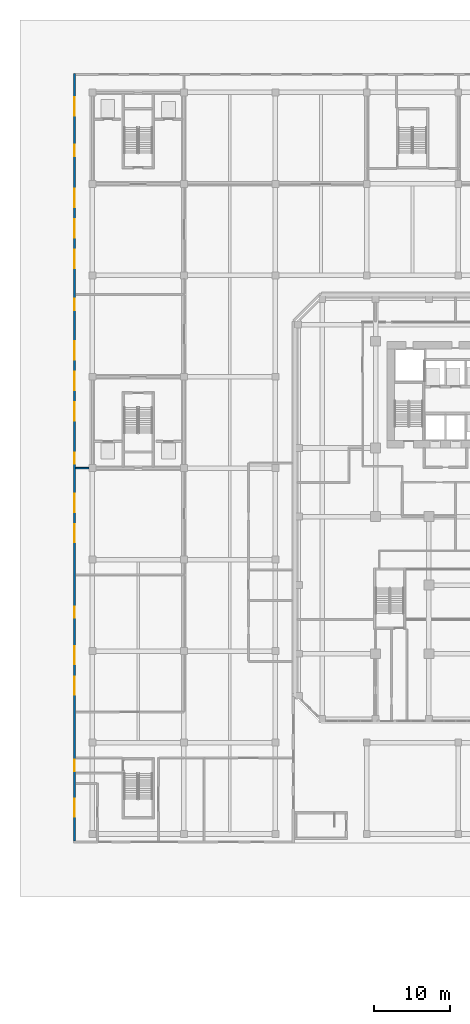
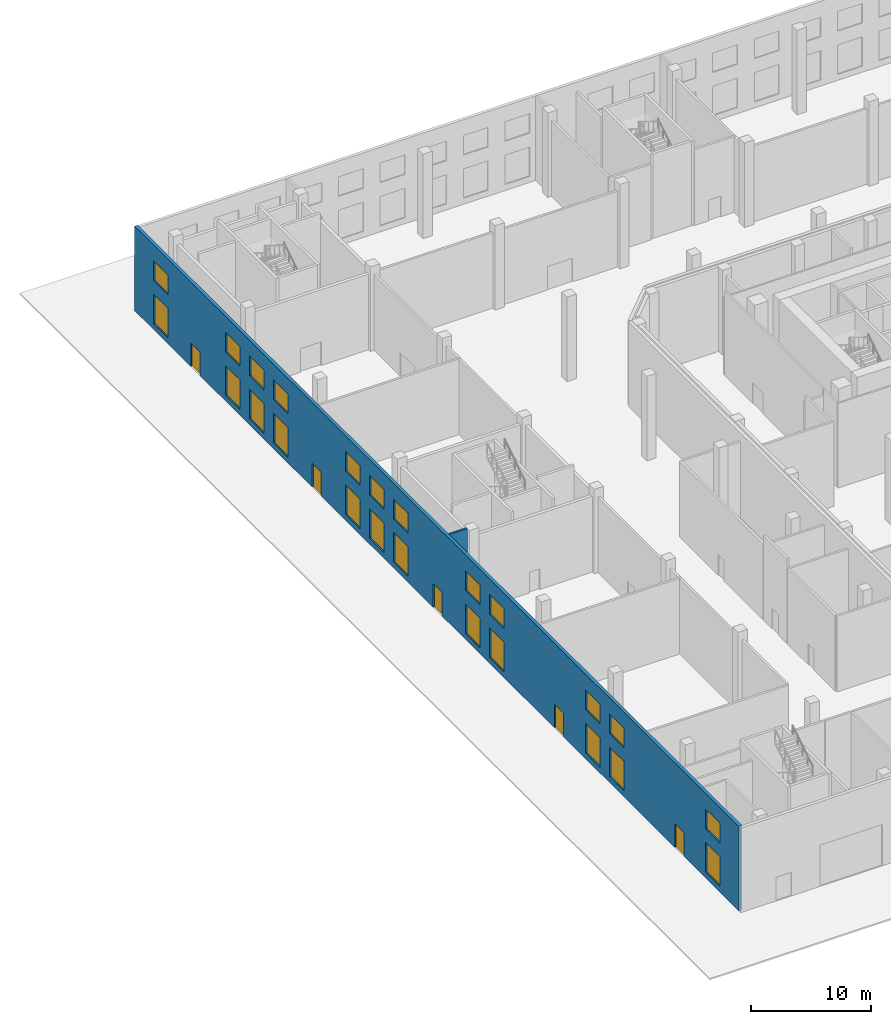
# One storey, part 22 of 43: 24 windows, 5 doors, 2 walls, 29 openings.
"""IFC4 building model written with IfcOpenShell, lengths in metres."""

import ifcopenshell
import ifcopenshell.guid

model = None  # the IFC model being written
_history = None  # IfcOwnerHistory: only IFC2X3 demands one
_inside = {}  # id of a spatial element -> (the spatial element, [elements in it])
_under = {}  # id of a project, library or spatial element -> (it, [spatial elements below it])
_declared = {}  # id of a project -> (the project, [libraries it declares])
_typed = {}  # id of a type object -> (the type object, [elements of that type])
_made_of = {}  # id of a material, layer set ... -> (it, [elements and type objects made of it])


def new_model(schema):
    """Start an empty IFC model of exactly this schema.

    Asked for "IFC4X3", IfcOpenShell would pick the latest addendum, in which some entities
    have other attributes; the version numbers below select the first issue.
    IFC2X3 requires an IfcOwnerHistory on every rooted entity: one is made here for all.
    """
    global model, _history
    if schema == "IFC4X3":
        model = ifcopenshell.file(schema_version=(4, 3, 0, 0))
    else:
        model = ifcopenshell.file(schema=schema)
    _inside.clear()
    _under.clear()
    _declared.clear()
    _typed.clear()
    _made_of.clear()
    _history = None
    if model.schema == "IFC2X3":
        org = make("IfcOrganization", Name="unknown")
        user = make(
            "IfcPersonAndOrganization",
            ThePerson=make("IfcPerson", FamilyName="unknown"),
            TheOrganization=org,
        )
        app = make(
            "IfcApplication",
            ApplicationDeveloper=org,
            Version="unknown",
            ApplicationFullName="unknown",
            ApplicationIdentifier="unknown",
        )
        _history = make(
            "IfcOwnerHistory",
            OwningUser=user,
            OwningApplication=app,
            ChangeAction="ADDED",
            CreationDate=0,
        )
    return model


def make(cls, **values):
    """One entity of the class cls with the attributes given. An attribute that is None is left unset."""
    return model.create_entity(
        cls, **{name: value for name, value in values.items() if value is not None}
    )


def rooted(cls, **values):
    """An entity with a GlobalId (a new one), such as an element, a storey or a relation."""
    return make(cls, GlobalId=ifcopenshell.guid.new(), OwnerHistory=_history, **values)


def si_unit(unit_type, name, prefix=None):
    """IfcSIUnit, for example si_unit("LENGTHUNIT", "METRE", prefix="MILLI")."""
    return make("IfcSIUnit", UnitType=unit_type, Prefix=prefix, Name=name)


def assignment(units):
    """IfcUnitAssignment: the units of a project."""
    return None if units is None else make("IfcUnitAssignment", Units=units)


def point(xyz):
    """IfcCartesianPoint."""
    return None if xyz is None else make("IfcCartesianPoint", Coordinates=xyz)


def direction(xyz):
    """IfcDirection."""
    return None if xyz is None else make("IfcDirection", DirectionRatios=xyz)


def frame(location, z_axis=None, x_axis=None):
    """IfcAxis2Placement3D, a coordinate frame: its origin and axes. An axis left out is left unset."""
    return make(
        "IfcAxis2Placement3D",
        Location=point(location),
        Axis=direction(z_axis),
        RefDirection=direction(x_axis),
    )


def frame_2d(location, x_axis=None):
    """IfcAxis2Placement2D, a coordinate frame in the plane: its origin and x axis."""
    return make(
        "IfcAxis2Placement2D", Location=point(location), RefDirection=direction(x_axis)
    )


def origin():
    """The frame at (0, 0, 0) with its axes left unset."""
    return frame((0.0, 0.0, 0.0))


def place(relative_to, where):
    """IfcLocalPlacement: puts the frame where relative to a parent placement (None: the world)."""
    return make(
        "IfcLocalPlacement", PlacementRelTo=relative_to, RelativePlacement=where
    )


def context(
    kind, dimensions, precision=None, world=None, true_north=None, identifier=None
):
    """IfcGeometricRepresentationContext, for example the 3D "Model" context."""
    return make(
        "IfcGeometricRepresentationContext",
        ContextIdentifier=identifier,
        ContextType=kind,
        CoordinateSpaceDimension=dimensions,
        Precision=precision,
        WorldCoordinateSystem=world,
        TrueNorth=true_north,
    )


def subcontext(parent, identifier, kind, view, scale=None):
    """IfcGeometricRepresentationSubContext, for example "Body" below "Model"."""
    return make(
        "IfcGeometricRepresentationSubContext",
        ContextIdentifier=identifier,
        ContextType=kind,
        ParentContext=parent,
        TargetScale=scale,
        TargetView=view,
    )


def project(units=None, contexts=None):
    """IfcProject with its units and contexts."""
    return rooted(
        "IfcProject",
        Name="project",
        RepresentationContexts=contexts,
        UnitsInContext=assignment(units),
    )


def spatial(cls, under=None, at=None, **own):
    """A site, building, storey or space (cls), placed at a placement, below another one or the project."""
    s = rooted(cls, ObjectPlacement=at, **own)
    if under is not None:
        _under.setdefault(under.id(), (under, []))[1].append(s)
    return s


def profile(cls, at=None, kind="AREA", **sizes):
    """A parametric profile (cls). Its sizes go by their IFC names, for example OverallWidth=200.0."""
    return make(cls, ProfileType=kind, Position=at, **sizes)


def rectangle(**sizes):
    """IfcRectangleProfileDef."""
    return profile("IfcRectangleProfileDef", **sizes)


def extrude(swept, where, along, depth):
    """IfcExtrudedAreaSolid: the profile swept, set in the frame where, extruded along a direction by depth."""
    return make(
        "IfcExtrudedAreaSolid",
        SweptArea=swept,
        Position=where,
        ExtrudedDirection=direction(along),
        Depth=depth,
    )


def shape(context_of_items, identifier, shape_type, items):
    """IfcShapeRepresentation: the items that make up one representation, for example the "Body"."""
    return make(
        "IfcShapeRepresentation",
        ContextOfItems=context_of_items,
        RepresentationIdentifier=identifier,
        RepresentationType=shape_type,
        Items=items,
    )


def source(mapping_origin, context_of_items, identifier, shape_type, items):
    """IfcRepresentationMap: a shape defined once, which mapped items show again and again."""
    return make(
        "IfcRepresentationMap",
        MappingOrigin=mapping_origin,
        MappedRepresentation=shape(context_of_items, identifier, shape_type, items),
    )


def transform(
    local_origin,
    x_axis=None,
    y_axis=None,
    z_axis=None,
    scale=None,
    scale2=None,
    scale3=None,
    uniform=True,
):
    """IfcCartesianTransformationOperator3D, or its non-uniform kind. x_axis, y_axis, z_axis: its Axis1, 2, 3."""
    if uniform:
        return make(
            "IfcCartesianTransformationOperator3D",
            Axis1=direction(x_axis),
            Axis2=direction(y_axis),
            LocalOrigin=point(local_origin),
            Scale=scale,
            Axis3=direction(z_axis),
        )
    return make(
        "IfcCartesianTransformationOperator3DnonUniform",
        Axis1=direction(x_axis),
        Axis2=direction(y_axis),
        LocalOrigin=point(local_origin),
        Scale=scale,
        Axis3=direction(z_axis),
        Scale2=scale2,
        Scale3=scale3,
    )


def mapped(mapping_source, mapping_target):
    """IfcMappedItem: shows the shape of a source again, moved by a transform."""
    return make(
        "IfcMappedItem", MappingSource=mapping_source, MappingTarget=mapping_target
    )


def material(Name=None, Category=None):
    """IfcMaterial."""
    return make("IfcMaterial", Name=Name, Category=Category)


def layer(
    of_material, thickness, ventilated=None, Name=None, Category=None, Priority=None
):
    """IfcMaterialLayer: one layer of a wall or slab, of a material (None: an air gap)."""
    return make(
        "IfcMaterialLayer",
        Material=of_material,
        LayerThickness=thickness,
        IsVentilated=ventilated,
        Name=Name,
        Category=Category,
        Priority=Priority,
    )


def layer_set(layers, Name=None):
    """IfcMaterialLayerSet."""
    return make("IfcMaterialLayerSet", MaterialLayers=layers, LayerSetName=Name)


def made_of(thing, what):
    """Note that an element or type object is made of a material, layer set ...; save() writes the relation."""
    if what is not None:
        _made_of.setdefault(what.id(), (what, []))[1].append(thing)
    return thing


def type_object(cls, material=None, **own):
    """A type object (cls), such as IfcWallType, which elements share."""
    return made_of(rooted(cls, **own), material)


def element(
    cls,
    number,
    at=None,
    inside=None,
    cuts=None,
    type_object=None,
    material=None,
    context=None,
    identifier="Body",
    shape_type=None,
    held_by="IfcProductDefinitionShape",
    body=None,
    shapes=None,
    **own,
):
    """One element of the class cls, such as IfcWall. Its Tag is "e" and its number.

    at: its placement. inside: the storey or other place that contains it. cuts: it is an
    opening in that element (IfcRelVoidsElement). A single representation is given by context,
    identifier, shape_type and body (its items); several are given by shapes. held_by: the class
    of the entity that holds the representations. save() writes the other relations.
    """
    e = rooted(cls, Tag="e%d" % number, ObjectPlacement=at, **own)
    if body is not None:
        shapes = [shape(context, identifier, shape_type, body)]
    if shapes is not None:
        e.Representation = make(held_by, Representations=shapes)
    if inside is not None:
        _inside.setdefault(inside.id(), (inside, []))[1].append(e)
    if cuts is not None:
        rooted(
            "IfcRelVoidsElement", RelatingBuildingElement=cuts, RelatedOpeningElement=e
        )
    if type_object is not None:
        _typed.setdefault(type_object.id(), (type_object, []))[1].append(e)
    return made_of(e, material)


def fill(opening, filler):
    """IfcRelFillsElement: the door or window that sits in an opening."""
    return rooted(
        "IfcRelFillsElement",
        RelatingOpeningElement=opening,
        RelatedBuildingElement=filler,
    )


def aggregate(whole, parts):
    """IfcRelAggregates: a whole, such as a stair, and the parts it consists of."""
    return rooted("IfcRelAggregates", RelatingObject=whole, RelatedObjects=parts)


def save(model, path):
    """Write the relations noted so far, then the file.

    IfcRelAggregates (storeys below a building ...), IfcRelContainedInSpatialStructure (elements
    in a storey), IfcRelDefinesByType, IfcRelAssociatesMaterial and IfcRelDeclares: one each for
    every whole, place, type object, material and project.
    """
    for whole, parts in _under.values():
        aggregate(whole, parts)
    for where, things in _inside.values():
        rooted(
            "IfcRelContainedInSpatialStructure",
            RelatedElements=things,
            RelatingStructure=where,
        )
    for kind, things in _typed.values():
        rooted("IfcRelDefinesByType", RelatedObjects=things, RelatingType=kind)
    for what, things in _made_of.values():
        rooted("IfcRelAssociatesMaterial", RelatedObjects=things, RelatingMaterial=what)
    for by, libraries in _declared.values():
        rooted("IfcRelDeclares", RelatingContext=by, RelatedDefinitions=libraries)
    model.write(path)


model = new_model("IFC4")

# Units and contexts
model_context = context("Model", 3, precision=1e-05, world=origin(), true_north=direction((0.0, 1.0)))
body_context = subcontext(model_context, "Body", "Model", "MODEL_VIEW")
ifc_project = project(units=[si_unit("LENGTHUNIT", "METRE"), si_unit("AREAUNIT", "SQUARE_METRE"), si_unit("VOLUMEUNIT", "CUBIC_METRE"), si_unit("PLANEANGLEUNIT", "RADIAN"), si_unit("MASSUNIT", "GRAM", prefix="KILO")], contexts=[model_context])

# Site, building, storey
site_placement = place(None, origin())
site = spatial("IfcSite", under=ifc_project, at=site_placement, CompositionType="ELEMENT")
building_placement = place(site_placement, origin())
building = spatial("IfcBuilding", under=site, at=building_placement, Name="Kilnfold Tower and Market Hall", CompositionType="ELEMENT")
storey_placement = place(building_placement, origin())
storey = spatial("IfcBuildingStorey", under=building, at=storey_placement, Name="L00", CompositionType="ELEMENT", Elevation=0.0)

# Wall, openings, windows, doors
ifc_material_1 = material(Name="Concrete blockwork", Category="masonry")
ifc_layer_1 = layer(ifc_material_1, 0.300048828125)
ifc_layer_set_1 = layer_set([ifc_layer_1], Name="Concrete blockwork")
wall_type_1 = type_object("IfcWallType", Name="HALL EXTERNAL WALL 300 EI 60", PredefinedType="SOLIDWALL", material=ifc_layer_set_1)
shared_shape_1 = source(origin(), body_context, "Body", "SweptSolid", [
    extrude(rectangle(XDim=100.699951171875, YDim=0.300048828125, at=frame_2d((50.35009765625, 0.0))), origin(), (0.0, 0.0, 1.0), 8.60009765625),
])
wall_1_placement = place(storey_placement, frame((-57.0, -43.550048828125, 0.0), z_axis=(0.0, 0.0, 1.0), x_axis=(0.0, 1.0, 0.0)))
wall_1 = element("IfcWall", 1, at=wall_1_placement, inside=storey, type_object=wall_type_1, Name="External wall MEW-L00.1", PredefinedType="SOLIDWALL", context=body_context, shape_type="MappedRepresentation", body=[
    mapped(shared_shape_1, transform((0.0, 0.0, 0.0))),
])
opening_1_placement = place(wall_1_placement, frame((9.14990234375, 0.0, 0.0)))
opening_1 = element("IfcOpeningElement", 2, at=opening_1_placement, cuts=wall_1, Name="Opening MED1", PredefinedType="OPENING", context=body_context, shape_type="SweptSolid", body=[
    extrude(rectangle(XDim=1.5, YDim=2.39990234375, at=frame_2d((0.75, 1.199951171875))), frame((0.0, 0.16015625, 0.0), z_axis=(0.0, -1.0, 0.0), x_axis=(1.0, 0.0, 0.0)), (0.0, 0.0, 1.0), 0.320068359375),
])
opening_2_placement = place(wall_1_placement, frame((29.25, 0.0, 0.0)))
opening_2 = element("IfcOpeningElement", 3, at=opening_2_placement, cuts=wall_1, Name="Opening MED1", PredefinedType="OPENING", context=body_context, shape_type="SweptSolid", body=[
    extrude(rectangle(XDim=1.5, YDim=2.39990234375, at=frame_2d((0.75, 1.199951171875))), frame((0.0, 0.16015625, 0.0), z_axis=(0.0, -1.0, 0.0), x_axis=(1.0, 0.0, 0.0)), (0.0, 0.0, 1.0), 0.320068359375),
])
opening_3_placement = place(wall_1_placement, frame((49.449951171875, 0.0, 0.0)))
opening_3 = element("IfcOpeningElement", 4, at=opening_3_placement, cuts=wall_1, Name="Opening MED1", PredefinedType="OPENING", context=body_context, shape_type="SweptSolid", body=[
    extrude(rectangle(XDim=1.5, YDim=2.39990234375, at=frame_2d((0.75, 1.199951171875))), frame((0.0, 0.16015625, 0.0), z_axis=(0.0, -1.0, 0.0), x_axis=(1.0, 0.0, 0.0)), (0.0, 0.0, 1.0), 0.320068359375),
])
opening_4_placement = place(wall_1_placement, frame((69.64990234375, 0.0, 0.0)))
opening_4 = element("IfcOpeningElement", 5, at=opening_4_placement, cuts=wall_1, Name="Opening MED1", PredefinedType="OPENING", context=body_context, shape_type="SweptSolid", body=[
    extrude(rectangle(XDim=1.5, YDim=2.39990234375, at=frame_2d((0.75, 1.199951171875))), frame((0.0, 0.16015625, 0.0), z_axis=(0.0, -1.0, 0.0), x_axis=(1.0, 0.0, 0.0)), (0.0, 0.0, 1.0), 0.320068359375),
])
opening_5_placement = place(wall_1_placement, frame((89.85009765625, 0.0, 0.0)))
opening_5 = element("IfcOpeningElement", 6, at=opening_5_placement, cuts=wall_1, Name="Opening MED1", PredefinedType="OPENING", context=body_context, shape_type="SweptSolid", body=[
    extrude(rectangle(XDim=1.5, YDim=2.39990234375, at=frame_2d((0.75, 1.199951171875))), frame((0.0, 0.16015625, 0.0), z_axis=(0.0, -1.0, 0.0), x_axis=(1.0, 0.0, 0.0)), (0.0, 0.0, 1.0), 0.320068359375),
])
opening_6_placement = place(wall_1_placement, frame((3.14990234375, 0.0, 0.60009765625)))
opening_6 = element("IfcOpeningElement", 7, at=opening_6_placement, cuts=wall_1, Name="Opening MEN1", PredefinedType="OPENING", context=body_context, shape_type="SweptSolid", body=[
    extrude(rectangle(XDim=2.39990234375, YDim=3.0, at=frame_2d((1.199951171875, 1.5))), frame((0.0, 0.16015625, 0.0), z_axis=(0.0, -1.0, 0.0), x_axis=(1.0, 0.0, 0.0)), (0.0, 0.0, 1.0), 0.320068359375),
])
opening_7_placement = place(wall_1_placement, frame((3.14990234375, 0.0, 5.0)))
opening_7 = element("IfcOpeningElement", 8, at=opening_7_placement, cuts=wall_1, Name="Opening MEN2", PredefinedType="OPENING", context=body_context, shape_type="SweptSolid", body=[
    extrude(rectangle(XDim=2.39990234375, YDim=2.0, at=frame_2d((1.199951171875, 1.0))), frame((0.0, 0.16015625, 0.0), z_axis=(0.0, -1.0, 0.0), x_axis=(1.0, 0.0, 0.0)), (0.0, 0.0, 1.0), 0.320068359375),
])
opening_8_placement = place(wall_1_placement, frame((19.14990234375, 0.0, 0.60009765625)))
opening_8 = element("IfcOpeningElement", 9, at=opening_8_placement, cuts=wall_1, Name="Opening MEN1", PredefinedType="OPENING", context=body_context, shape_type="SweptSolid", body=[
    extrude(rectangle(XDim=2.39990234375, YDim=3.0, at=frame_2d((1.199951171875, 1.5))), frame((0.0, 0.16015625, 0.0), z_axis=(0.0, -1.0, 0.0), x_axis=(1.0, 0.0, 0.0)), (0.0, 0.0, 1.0), 0.320068359375),
])
opening_9_placement = place(wall_1_placement, frame((19.14990234375, 0.0, 5.0)))
opening_9 = element("IfcOpeningElement", 10, at=opening_9_placement, cuts=wall_1, Name="Opening MEN2", PredefinedType="OPENING", context=body_context, shape_type="SweptSolid", body=[
    extrude(rectangle(XDim=2.39990234375, YDim=2.0, at=frame_2d((1.199951171875, 1.0))), frame((0.0, 0.16015625, 0.0), z_axis=(0.0, -1.0, 0.0), x_axis=(1.0, 0.0, 0.0)), (0.0, 0.0, 1.0), 0.320068359375),
])
opening_10_placement = place(wall_1_placement, frame((23.14990234375, 0.0, 0.60009765625)))
opening_10 = element("IfcOpeningElement", 11, at=opening_10_placement, cuts=wall_1, Name="Opening MEN1", PredefinedType="OPENING", context=body_context, shape_type="SweptSolid", body=[
    extrude(rectangle(XDim=2.39990234375, YDim=3.0, at=frame_2d((1.199951171875, 1.5))), frame((0.0, 0.16015625, 0.0), z_axis=(0.0, -1.0, 0.0), x_axis=(1.0, 0.0, 0.0)), (0.0, 0.0, 1.0), 0.320068359375),
])
opening_11_placement = place(wall_1_placement, frame((23.14990234375, 0.0, 5.0)))
opening_11 = element("IfcOpeningElement", 12, at=opening_11_placement, cuts=wall_1, Name="Opening MEN2", PredefinedType="OPENING", context=body_context, shape_type="SweptSolid", body=[
    extrude(rectangle(XDim=2.39990234375, YDim=2.0, at=frame_2d((1.199951171875, 1.0))), frame((0.0, 0.16015625, 0.0), z_axis=(0.0, -1.0, 0.0), x_axis=(1.0, 0.0, 0.0)), (0.0, 0.0, 1.0), 0.320068359375),
])
opening_12_placement = place(wall_1_placement, frame((39.14990234375, 0.0, 0.60009765625)))
opening_12 = element("IfcOpeningElement", 13, at=opening_12_placement, cuts=wall_1, Name="Opening MEN1", PredefinedType="OPENING", context=body_context, shape_type="SweptSolid", body=[
    extrude(rectangle(XDim=2.39990234375, YDim=3.0, at=frame_2d((1.199951171875, 1.5))), frame((0.0, 0.16015625, 0.0), z_axis=(0.0, -1.0, 0.0), x_axis=(1.0, 0.0, 0.0)), (0.0, 0.0, 1.0), 0.320068359375),
])
opening_13_placement = place(wall_1_placement, frame((39.14990234375, 0.0, 5.0)))
opening_13 = element("IfcOpeningElement", 14, at=opening_13_placement, cuts=wall_1, Name="Opening MEN2", PredefinedType="OPENING", context=body_context, shape_type="SweptSolid", body=[
    extrude(rectangle(XDim=2.39990234375, YDim=2.0, at=frame_2d((1.199951171875, 1.0))), frame((0.0, 0.16015625, 0.0), z_axis=(0.0, -1.0, 0.0), x_axis=(1.0, 0.0, 0.0)), (0.0, 0.0, 1.0), 0.320068359375),
])
opening_14_placement = place(wall_1_placement, frame((43.14990234375, 0.0, 0.60009765625)))
opening_14 = element("IfcOpeningElement", 15, at=opening_14_placement, cuts=wall_1, Name="Opening MEN1", PredefinedType="OPENING", context=body_context, shape_type="SweptSolid", body=[
    extrude(rectangle(XDim=2.39990234375, YDim=3.0, at=frame_2d((1.199951171875, 1.5))), frame((0.0, 0.16015625, 0.0), z_axis=(0.0, -1.0, 0.0), x_axis=(1.0, 0.0, 0.0)), (0.0, 0.0, 1.0), 0.320068359375),
])
opening_15_placement = place(wall_1_placement, frame((43.14990234375, 0.0, 5.0)))
opening_15 = element("IfcOpeningElement", 16, at=opening_15_placement, cuts=wall_1, Name="Opening MEN2", PredefinedType="OPENING", context=body_context, shape_type="SweptSolid", body=[
    extrude(rectangle(XDim=2.39990234375, YDim=2.0, at=frame_2d((1.199951171875, 1.0))), frame((0.0, 0.16015625, 0.0), z_axis=(0.0, -1.0, 0.0), x_axis=(1.0, 0.0, 0.0)), (0.0, 0.0, 1.0), 0.320068359375),
])
opening_16_placement = place(wall_1_placement, frame((55.14990234375, 0.0, 0.60009765625)))
opening_16 = element("IfcOpeningElement", 17, at=opening_16_placement, cuts=wall_1, Name="Opening MEN1", PredefinedType="OPENING", context=body_context, shape_type="SweptSolid", body=[
    extrude(rectangle(XDim=2.39990234375, YDim=3.0, at=frame_2d((1.199951171875, 1.5))), frame((0.0, 0.16015625, 0.0), z_axis=(0.0, -1.0, 0.0), x_axis=(1.0, 0.0, 0.0)), (0.0, 0.0, 1.0), 0.320068359375),
])
opening_17_placement = place(wall_1_placement, frame((55.14990234375, 0.0, 5.0)))
opening_17 = element("IfcOpeningElement", 18, at=opening_17_placement, cuts=wall_1, Name="Opening MEN2", PredefinedType="OPENING", context=body_context, shape_type="SweptSolid", body=[
    extrude(rectangle(XDim=2.39990234375, YDim=2.0, at=frame_2d((1.199951171875, 1.0))), frame((0.0, 0.16015625, 0.0), z_axis=(0.0, -1.0, 0.0), x_axis=(1.0, 0.0, 0.0)), (0.0, 0.0, 1.0), 0.320068359375),
])
opening_18_placement = place(wall_1_placement, frame((59.14990234375, 0.0, 0.60009765625)))
opening_18 = element("IfcOpeningElement", 19, at=opening_18_placement, cuts=wall_1, Name="Opening MEN1", PredefinedType="OPENING", context=body_context, shape_type="SweptSolid", body=[
    extrude(rectangle(XDim=2.39990234375, YDim=3.0, at=frame_2d((1.199951171875, 1.5))), frame((0.0, 0.16015625, 0.0), z_axis=(0.0, -1.0, 0.0), x_axis=(1.0, 0.0, 0.0)), (0.0, 0.0, 1.0), 0.320068359375),
])
opening_19_placement = place(wall_1_placement, frame((59.14990234375, 0.0, 5.0)))
opening_19 = element("IfcOpeningElement", 20, at=opening_19_placement, cuts=wall_1, Name="Opening MEN2", PredefinedType="OPENING", context=body_context, shape_type="SweptSolid", body=[
    extrude(rectangle(XDim=2.39990234375, YDim=2.0, at=frame_2d((1.199951171875, 1.0))), frame((0.0, 0.16015625, 0.0), z_axis=(0.0, -1.0, 0.0), x_axis=(1.0, 0.0, 0.0)), (0.0, 0.0, 1.0), 0.320068359375),
])
opening_20_placement = place(wall_1_placement, frame((63.14990234375, 0.0, 0.60009765625)))
opening_20 = element("IfcOpeningElement", 21, at=opening_20_placement, cuts=wall_1, Name="Opening MEN1", PredefinedType="OPENING", context=body_context, shape_type="SweptSolid", body=[
    extrude(rectangle(XDim=2.39990234375, YDim=3.0, at=frame_2d((1.199951171875, 1.5))), frame((0.0, 0.16015625, 0.0), z_axis=(0.0, -1.0, 0.0), x_axis=(1.0, 0.0, 0.0)), (0.0, 0.0, 1.0), 0.320068359375),
])
opening_21_placement = place(wall_1_placement, frame((63.14990234375, 0.0, 5.0)))
opening_21 = element("IfcOpeningElement", 22, at=opening_21_placement, cuts=wall_1, Name="Opening MEN2", PredefinedType="OPENING", context=body_context, shape_type="SweptSolid", body=[
    extrude(rectangle(XDim=2.39990234375, YDim=2.0, at=frame_2d((1.199951171875, 1.0))), frame((0.0, 0.16015625, 0.0), z_axis=(0.0, -1.0, 0.0), x_axis=(1.0, 0.0, 0.0)), (0.0, 0.0, 1.0), 0.320068359375),
])
opening_22_placement = place(wall_1_placement, frame((75.14990234375, 0.0, 0.60009765625)))
opening_22 = element("IfcOpeningElement", 23, at=opening_22_placement, cuts=wall_1, Name="Opening MEN1", PredefinedType="OPENING", context=body_context, shape_type="SweptSolid", body=[
    extrude(rectangle(XDim=2.39990234375, YDim=3.0, at=frame_2d((1.199951171875, 1.5))), frame((0.0, 0.16015625, 0.0), z_axis=(0.0, -1.0, 0.0), x_axis=(1.0, 0.0, 0.0)), (0.0, 0.0, 1.0), 0.320068359375),
])
opening_23_placement = place(wall_1_placement, frame((75.14990234375, 0.0, 5.0)))
opening_23 = element("IfcOpeningElement", 24, at=opening_23_placement, cuts=wall_1, Name="Opening MEN2", PredefinedType="OPENING", context=body_context, shape_type="SweptSolid", body=[
    extrude(rectangle(XDim=2.39990234375, YDim=2.0, at=frame_2d((1.199951171875, 1.0))), frame((0.0, 0.16015625, 0.0), z_axis=(0.0, -1.0, 0.0), x_axis=(1.0, 0.0, 0.0)), (0.0, 0.0, 1.0), 0.320068359375),
])
opening_24_placement = place(wall_1_placement, frame((79.14990234375, 0.0, 0.60009765625)))
opening_24 = element("IfcOpeningElement", 25, at=opening_24_placement, cuts=wall_1, Name="Opening MEN1", PredefinedType="OPENING", context=body_context, shape_type="SweptSolid", body=[
    extrude(rectangle(XDim=2.39990234375, YDim=3.0, at=frame_2d((1.199951171875, 1.5))), frame((0.0, 0.16015625, 0.0), z_axis=(0.0, -1.0, 0.0), x_axis=(1.0, 0.0, 0.0)), (0.0, 0.0, 1.0), 0.320068359375),
])
opening_25_placement = place(wall_1_placement, frame((79.14990234375, 0.0, 5.0)))
opening_25 = element("IfcOpeningElement", 26, at=opening_25_placement, cuts=wall_1, Name="Opening MEN2", PredefinedType="OPENING", context=body_context, shape_type="SweptSolid", body=[
    extrude(rectangle(XDim=2.39990234375, YDim=2.0, at=frame_2d((1.199951171875, 1.0))), frame((0.0, 0.16015625, 0.0), z_axis=(0.0, -1.0, 0.0), x_axis=(1.0, 0.0, 0.0)), (0.0, 0.0, 1.0), 0.320068359375),
])
opening_26_placement = place(wall_1_placement, frame((83.14990234375, 0.0, 0.60009765625)))
opening_26 = element("IfcOpeningElement", 27, at=opening_26_placement, cuts=wall_1, Name="Opening MEN1", PredefinedType="OPENING", context=body_context, shape_type="SweptSolid", body=[
    extrude(rectangle(XDim=2.39990234375, YDim=3.0, at=frame_2d((1.199951171875, 1.5))), frame((0.0, 0.16015625, 0.0), z_axis=(0.0, -1.0, 0.0), x_axis=(1.0, 0.0, 0.0)), (0.0, 0.0, 1.0), 0.320068359375),
])
opening_27_placement = place(wall_1_placement, frame((83.14990234375, 0.0, 5.0)))
opening_27 = element("IfcOpeningElement", 28, at=opening_27_placement, cuts=wall_1, Name="Opening MEN2", PredefinedType="OPENING", context=body_context, shape_type="SweptSolid", body=[
    extrude(rectangle(XDim=2.39990234375, YDim=2.0, at=frame_2d((1.199951171875, 1.0))), frame((0.0, 0.16015625, 0.0), z_axis=(0.0, -1.0, 0.0), x_axis=(1.0, 0.0, 0.0)), (0.0, 0.0, 1.0), 0.320068359375),
])
opening_28_placement = place(wall_1_placement, frame((95.14990234375, 0.0, 0.60009765625)))
opening_28 = element("IfcOpeningElement", 29, at=opening_28_placement, cuts=wall_1, Name="Opening MEN1", PredefinedType="OPENING", context=body_context, shape_type="SweptSolid", body=[
    extrude(rectangle(XDim=2.39990234375, YDim=3.0, at=frame_2d((1.199951171875, 1.5))), frame((0.0, 0.16015625, 0.0), z_axis=(0.0, -1.0, 0.0), x_axis=(1.0, 0.0, 0.0)), (0.0, 0.0, 1.0), 0.320068359375),
])
opening_29_placement = place(wall_1_placement, frame((95.14990234375, 0.0, 5.0)))
opening_29 = element("IfcOpeningElement", 30, at=opening_29_placement, cuts=wall_1, Name="Opening MEN2", PredefinedType="OPENING", context=body_context, shape_type="SweptSolid", body=[
    extrude(rectangle(XDim=2.39990234375, YDim=2.0, at=frame_2d((1.199951171875, 1.0))), frame((0.0, 0.16015625, 0.0), z_axis=(0.0, -1.0, 0.0), x_axis=(1.0, 0.0, 0.0)), (0.0, 0.0, 1.0), 0.320068359375),
])
ifc_material_2 = material(Name="Aluminium glazing", Category="aluminium")
window_type_1 = type_object("IfcWindowType", Name="CLERESTORY 2400X2000", PartitioningType="SINGLE_PANEL", PredefinedType="WINDOW", material=ifc_material_2)
window_1_placement = place(opening_7_placement, origin())
window_1 = element("IfcWindow", 31, at=window_1_placement, inside=storey, type_object=window_type_1, Name="Window clerestory", OverallHeight=2.0, OverallWidth=2.39990234375, PartitioningType="SINGLE_PANEL", PredefinedType="WINDOW", context=body_context, shape_type="SweptSolid", body=[
    extrude(rectangle(XDim=2.39990234375, YDim=2.0, at=frame_2d((1.199951171875, 1.0))), frame((0.0, 0.030029296875, 0.0), z_axis=(0.0, -1.0, 0.0), x_axis=(1.0, 0.0, 0.0)), (0.0, 0.0, 1.0), 0.06005859375),
])
fill(opening_7, window_1)
window_2_placement = place(opening_9_placement, origin())
window_2 = element("IfcWindow", 32, at=window_2_placement, inside=storey, type_object=window_type_1, Name="Window clerestory", OverallHeight=2.0, OverallWidth=2.39990234375, PartitioningType="SINGLE_PANEL", PredefinedType="WINDOW", context=body_context, shape_type="SweptSolid", body=[
    extrude(rectangle(XDim=2.39990234375, YDim=2.0, at=frame_2d((1.199951171875, 1.0))), frame((0.0, 0.030029296875, 0.0), z_axis=(0.0, -1.0, 0.0), x_axis=(1.0, 0.0, 0.0)), (0.0, 0.0, 1.0), 0.06005859375),
])
fill(opening_9, window_2)
window_3_placement = place(opening_11_placement, origin())
window_3 = element("IfcWindow", 33, at=window_3_placement, inside=storey, type_object=window_type_1, Name="Window clerestory", OverallHeight=2.0, OverallWidth=2.39990234375, PartitioningType="SINGLE_PANEL", PredefinedType="WINDOW", context=body_context, shape_type="SweptSolid", body=[
    extrude(rectangle(XDim=2.39990234375, YDim=2.0, at=frame_2d((1.199951171875, 1.0))), frame((0.0, 0.030029296875, 0.0), z_axis=(0.0, -1.0, 0.0), x_axis=(1.0, 0.0, 0.0)), (0.0, 0.0, 1.0), 0.06005859375),
])
fill(opening_11, window_3)
window_4_placement = place(opening_13_placement, origin())
window_4 = element("IfcWindow", 34, at=window_4_placement, inside=storey, type_object=window_type_1, Name="Window clerestory", OverallHeight=2.0, OverallWidth=2.39990234375, PartitioningType="SINGLE_PANEL", PredefinedType="WINDOW", context=body_context, shape_type="SweptSolid", body=[
    extrude(rectangle(XDim=2.39990234375, YDim=2.0, at=frame_2d((1.199951171875, 1.0))), frame((0.0, 0.030029296875, 0.0), z_axis=(0.0, -1.0, 0.0), x_axis=(1.0, 0.0, 0.0)), (0.0, 0.0, 1.0), 0.06005859375),
])
fill(opening_13, window_4)
window_5_placement = place(opening_15_placement, origin())
window_5 = element("IfcWindow", 35, at=window_5_placement, inside=storey, type_object=window_type_1, Name="Window clerestory", OverallHeight=2.0, OverallWidth=2.39990234375, PartitioningType="SINGLE_PANEL", PredefinedType="WINDOW", context=body_context, shape_type="SweptSolid", body=[
    extrude(rectangle(XDim=2.39990234375, YDim=2.0, at=frame_2d((1.199951171875, 1.0))), frame((0.0, 0.030029296875, 0.0), z_axis=(0.0, -1.0, 0.0), x_axis=(1.0, 0.0, 0.0)), (0.0, 0.0, 1.0), 0.06005859375),
])
fill(opening_15, window_5)
window_6_placement = place(opening_17_placement, origin())
window_6 = element("IfcWindow", 36, at=window_6_placement, inside=storey, type_object=window_type_1, Name="Window clerestory", OverallHeight=2.0, OverallWidth=2.39990234375, PartitioningType="SINGLE_PANEL", PredefinedType="WINDOW", context=body_context, shape_type="SweptSolid", body=[
    extrude(rectangle(XDim=2.39990234375, YDim=2.0, at=frame_2d((1.199951171875, 1.0))), frame((0.0, 0.030029296875, 0.0), z_axis=(0.0, -1.0, 0.0), x_axis=(1.0, 0.0, 0.0)), (0.0, 0.0, 1.0), 0.06005859375),
])
fill(opening_17, window_6)
window_7_placement = place(opening_19_placement, origin())
window_7 = element("IfcWindow", 37, at=window_7_placement, inside=storey, type_object=window_type_1, Name="Window clerestory", OverallHeight=2.0, OverallWidth=2.39990234375, PartitioningType="SINGLE_PANEL", PredefinedType="WINDOW", context=body_context, shape_type="SweptSolid", body=[
    extrude(rectangle(XDim=2.39990234375, YDim=2.0, at=frame_2d((1.199951171875, 1.0))), frame((0.0, 0.030029296875, 0.0), z_axis=(0.0, -1.0, 0.0), x_axis=(1.0, 0.0, 0.0)), (0.0, 0.0, 1.0), 0.06005859375),
])
fill(opening_19, window_7)
window_8_placement = place(opening_21_placement, origin())
window_8 = element("IfcWindow", 38, at=window_8_placement, inside=storey, type_object=window_type_1, Name="Window clerestory", OverallHeight=2.0, OverallWidth=2.39990234375, PartitioningType="SINGLE_PANEL", PredefinedType="WINDOW", context=body_context, shape_type="SweptSolid", body=[
    extrude(rectangle(XDim=2.39990234375, YDim=2.0, at=frame_2d((1.199951171875, 1.0))), frame((0.0, 0.030029296875, 0.0), z_axis=(0.0, -1.0, 0.0), x_axis=(1.0, 0.0, 0.0)), (0.0, 0.0, 1.0), 0.06005859375),
])
fill(opening_21, window_8)
window_9_placement = place(opening_23_placement, origin())
window_9 = element("IfcWindow", 39, at=window_9_placement, inside=storey, type_object=window_type_1, Name="Window clerestory", OverallHeight=2.0, OverallWidth=2.39990234375, PartitioningType="SINGLE_PANEL", PredefinedType="WINDOW", context=body_context, shape_type="SweptSolid", body=[
    extrude(rectangle(XDim=2.39990234375, YDim=2.0, at=frame_2d((1.199951171875, 1.0))), frame((0.0, 0.030029296875, 0.0), z_axis=(0.0, -1.0, 0.0), x_axis=(1.0, 0.0, 0.0)), (0.0, 0.0, 1.0), 0.06005859375),
])
fill(opening_23, window_9)
window_10_placement = place(opening_25_placement, origin())
window_10 = element("IfcWindow", 40, at=window_10_placement, inside=storey, type_object=window_type_1, Name="Window clerestory", OverallHeight=2.0, OverallWidth=2.39990234375, PartitioningType="SINGLE_PANEL", PredefinedType="WINDOW", context=body_context, shape_type="SweptSolid", body=[
    extrude(rectangle(XDim=2.39990234375, YDim=2.0, at=frame_2d((1.199951171875, 1.0))), frame((0.0, 0.030029296875, 0.0), z_axis=(0.0, -1.0, 0.0), x_axis=(1.0, 0.0, 0.0)), (0.0, 0.0, 1.0), 0.06005859375),
])
fill(opening_25, window_10)
window_11_placement = place(opening_27_placement, origin())
window_11 = element("IfcWindow", 41, at=window_11_placement, inside=storey, type_object=window_type_1, Name="Window clerestory", OverallHeight=2.0, OverallWidth=2.39990234375, PartitioningType="SINGLE_PANEL", PredefinedType="WINDOW", context=body_context, shape_type="SweptSolid", body=[
    extrude(rectangle(XDim=2.39990234375, YDim=2.0, at=frame_2d((1.199951171875, 1.0))), frame((0.0, 0.030029296875, 0.0), z_axis=(0.0, -1.0, 0.0), x_axis=(1.0, 0.0, 0.0)), (0.0, 0.0, 1.0), 0.06005859375),
])
fill(opening_27, window_11)
window_12_placement = place(opening_29_placement, origin())
window_12 = element("IfcWindow", 42, at=window_12_placement, inside=storey, type_object=window_type_1, Name="Window clerestory", OverallHeight=2.0, OverallWidth=2.39990234375, PartitioningType="SINGLE_PANEL", PredefinedType="WINDOW", context=body_context, shape_type="SweptSolid", body=[
    extrude(rectangle(XDim=2.39990234375, YDim=2.0, at=frame_2d((1.199951171875, 1.0))), frame((0.0, 0.030029296875, 0.0), z_axis=(0.0, -1.0, 0.0), x_axis=(1.0, 0.0, 0.0)), (0.0, 0.0, 1.0), 0.06005859375),
])
fill(opening_29, window_12)
ifc_material_3 = material(Name="Aluminium glazing", Category="aluminium")
door_type = type_object("IfcDoorType", Name="HALL EXIT DOOR 1500X2400", OperationType="NOTDEFINED", PredefinedType="DOOR", material=ifc_material_3)
door_1_placement = place(opening_1_placement, origin())
door_1 = element("IfcDoor", 43, at=door_1_placement, inside=storey, type_object=door_type, Name="Exit door ME1", OperationType="DOUBLE_DOOR_SINGLE_SWING", OverallHeight=2.39990234375, OverallWidth=1.5, PredefinedType="DOOR", context=body_context, shape_type="SweptSolid", body=[
    extrude(rectangle(XDim=1.5, YDim=2.39990234375, at=frame_2d((0.75, 1.199951171875))), frame((0.0, 0.02490234375, 0.0), z_axis=(0.0, -1.0, 0.0), x_axis=(1.0, 0.0, 0.0)), (0.0, 0.0, 1.0), 0.050048828125),
])
fill(opening_1, door_1)
door_2_placement = place(opening_2_placement, origin())
door_2 = element("IfcDoor", 44, at=door_2_placement, inside=storey, type_object=door_type, Name="Exit door ME2", OperationType="DOUBLE_DOOR_SINGLE_SWING", OverallHeight=2.39990234375, OverallWidth=1.5, PredefinedType="DOOR", context=body_context, shape_type="SweptSolid", body=[
    extrude(rectangle(XDim=1.5, YDim=2.39990234375, at=frame_2d((0.75, 1.199951171875))), frame((0.0, 0.02490234375, 0.0), z_axis=(0.0, -1.0, 0.0), x_axis=(1.0, 0.0, 0.0)), (0.0, 0.0, 1.0), 0.050048828125),
])
fill(opening_2, door_2)
door_3_placement = place(opening_3_placement, origin())
door_3 = element("IfcDoor", 45, at=door_3_placement, inside=storey, type_object=door_type, Name="Exit door ME3", OperationType="DOUBLE_DOOR_SINGLE_SWING", OverallHeight=2.39990234375, OverallWidth=1.5, PredefinedType="DOOR", context=body_context, shape_type="SweptSolid", body=[
    extrude(rectangle(XDim=1.5, YDim=2.39990234375, at=frame_2d((0.75, 1.199951171875))), frame((0.0, 0.02490234375, 0.0), z_axis=(0.0, -1.0, 0.0), x_axis=(1.0, 0.0, 0.0)), (0.0, 0.0, 1.0), 0.050048828125),
])
fill(opening_3, door_3)
door_4_placement = place(opening_4_placement, origin())
door_4 = element("IfcDoor", 46, at=door_4_placement, inside=storey, type_object=door_type, Name="Exit door ME4", OperationType="DOUBLE_DOOR_SINGLE_SWING", OverallHeight=2.39990234375, OverallWidth=1.5, PredefinedType="DOOR", context=body_context, shape_type="SweptSolid", body=[
    extrude(rectangle(XDim=1.5, YDim=2.39990234375, at=frame_2d((0.75, 1.199951171875))), frame((0.0, 0.02490234375, 0.0), z_axis=(0.0, -1.0, 0.0), x_axis=(1.0, 0.0, 0.0)), (0.0, 0.0, 1.0), 0.050048828125),
])
fill(opening_4, door_4)
door_5_placement = place(opening_5_placement, origin())
door_5 = element("IfcDoor", 47, at=door_5_placement, inside=storey, type_object=door_type, Name="Exit door ME5", OperationType="DOUBLE_DOOR_SINGLE_SWING", OverallHeight=2.39990234375, OverallWidth=1.5, PredefinedType="DOOR", context=body_context, shape_type="SweptSolid", body=[
    extrude(rectangle(XDim=1.5, YDim=2.39990234375, at=frame_2d((0.75, 1.199951171875))), frame((0.0, 0.02490234375, 0.0), z_axis=(0.0, -1.0, 0.0), x_axis=(1.0, 0.0, 0.0)), (0.0, 0.0, 1.0), 0.050048828125),
])
fill(opening_5, door_5)
ifc_material_4 = material(Name="Aluminium glazing", Category="aluminium")
window_type_2 = type_object("IfcWindowType", Name="SHOPFRONT 2400X3000", PartitioningType="SINGLE_PANEL", PredefinedType="WINDOW", material=ifc_material_4)
window_13_placement = place(opening_6_placement, origin())
window_13 = element("IfcWindow", 48, at=window_13_placement, inside=storey, type_object=window_type_2, Name="Window shop", OverallHeight=3.0, OverallWidth=2.39990234375, PartitioningType="SINGLE_PANEL", PredefinedType="WINDOW", context=body_context, shape_type="SweptSolid", body=[
    extrude(rectangle(XDim=2.39990234375, YDim=3.0, at=frame_2d((1.199951171875, 1.5))), frame((0.0, 0.030029296875, 0.0), z_axis=(0.0, -1.0, 0.0), x_axis=(1.0, 0.0, 0.0)), (0.0, 0.0, 1.0), 0.06005859375),
])
fill(opening_6, window_13)
window_14_placement = place(opening_8_placement, origin())
window_14 = element("IfcWindow", 49, at=window_14_placement, inside=storey, type_object=window_type_2, Name="Window shop", OverallHeight=3.0, OverallWidth=2.39990234375, PartitioningType="SINGLE_PANEL", PredefinedType="WINDOW", context=body_context, shape_type="SweptSolid", body=[
    extrude(rectangle(XDim=2.39990234375, YDim=3.0, at=frame_2d((1.199951171875, 1.5))), frame((0.0, 0.030029296875, 0.0), z_axis=(0.0, -1.0, 0.0), x_axis=(1.0, 0.0, 0.0)), (0.0, 0.0, 1.0), 0.06005859375),
])
fill(opening_8, window_14)
window_15_placement = place(opening_10_placement, origin())
window_15 = element("IfcWindow", 50, at=window_15_placement, inside=storey, type_object=window_type_2, Name="Window shop", OverallHeight=3.0, OverallWidth=2.39990234375, PartitioningType="SINGLE_PANEL", PredefinedType="WINDOW", context=body_context, shape_type="SweptSolid", body=[
    extrude(rectangle(XDim=2.39990234375, YDim=3.0, at=frame_2d((1.199951171875, 1.5))), frame((0.0, 0.030029296875, 0.0), z_axis=(0.0, -1.0, 0.0), x_axis=(1.0, 0.0, 0.0)), (0.0, 0.0, 1.0), 0.06005859375),
])
fill(opening_10, window_15)
window_16_placement = place(opening_12_placement, origin())
window_16 = element("IfcWindow", 51, at=window_16_placement, inside=storey, type_object=window_type_2, Name="Window shop", OverallHeight=3.0, OverallWidth=2.39990234375, PartitioningType="SINGLE_PANEL", PredefinedType="WINDOW", context=body_context, shape_type="SweptSolid", body=[
    extrude(rectangle(XDim=2.39990234375, YDim=3.0, at=frame_2d((1.199951171875, 1.5))), frame((0.0, 0.030029296875, 0.0), z_axis=(0.0, -1.0, 0.0), x_axis=(1.0, 0.0, 0.0)), (0.0, 0.0, 1.0), 0.06005859375),
])
fill(opening_12, window_16)
window_17_placement = place(opening_14_placement, origin())
window_17 = element("IfcWindow", 52, at=window_17_placement, inside=storey, type_object=window_type_2, Name="Window shop", OverallHeight=3.0, OverallWidth=2.39990234375, PartitioningType="SINGLE_PANEL", PredefinedType="WINDOW", context=body_context, shape_type="SweptSolid", body=[
    extrude(rectangle(XDim=2.39990234375, YDim=3.0, at=frame_2d((1.199951171875, 1.5))), frame((0.0, 0.030029296875, 0.0), z_axis=(0.0, -1.0, 0.0), x_axis=(1.0, 0.0, 0.0)), (0.0, 0.0, 1.0), 0.06005859375),
])
fill(opening_14, window_17)
window_18_placement = place(opening_16_placement, origin())
window_18 = element("IfcWindow", 53, at=window_18_placement, inside=storey, type_object=window_type_2, Name="Window shop", OverallHeight=3.0, OverallWidth=2.39990234375, PartitioningType="SINGLE_PANEL", PredefinedType="WINDOW", context=body_context, shape_type="SweptSolid", body=[
    extrude(rectangle(XDim=2.39990234375, YDim=3.0, at=frame_2d((1.199951171875, 1.5))), frame((0.0, 0.030029296875, 0.0), z_axis=(0.0, -1.0, 0.0), x_axis=(1.0, 0.0, 0.0)), (0.0, 0.0, 1.0), 0.06005859375),
])
fill(opening_16, window_18)
window_19_placement = place(opening_18_placement, origin())
window_19 = element("IfcWindow", 54, at=window_19_placement, inside=storey, type_object=window_type_2, Name="Window shop", OverallHeight=3.0, OverallWidth=2.39990234375, PartitioningType="SINGLE_PANEL", PredefinedType="WINDOW", context=body_context, shape_type="SweptSolid", body=[
    extrude(rectangle(XDim=2.39990234375, YDim=3.0, at=frame_2d((1.199951171875, 1.5))), frame((0.0, 0.030029296875, 0.0), z_axis=(0.0, -1.0, 0.0), x_axis=(1.0, 0.0, 0.0)), (0.0, 0.0, 1.0), 0.06005859375),
])
fill(opening_18, window_19)
window_20_placement = place(opening_20_placement, origin())
window_20 = element("IfcWindow", 55, at=window_20_placement, inside=storey, type_object=window_type_2, Name="Window shop", OverallHeight=3.0, OverallWidth=2.39990234375, PartitioningType="SINGLE_PANEL", PredefinedType="WINDOW", context=body_context, shape_type="SweptSolid", body=[
    extrude(rectangle(XDim=2.39990234375, YDim=3.0, at=frame_2d((1.199951171875, 1.5))), frame((0.0, 0.030029296875, 0.0), z_axis=(0.0, -1.0, 0.0), x_axis=(1.0, 0.0, 0.0)), (0.0, 0.0, 1.0), 0.06005859375),
])
fill(opening_20, window_20)
window_21_placement = place(opening_22_placement, origin())
window_21 = element("IfcWindow", 56, at=window_21_placement, inside=storey, type_object=window_type_2, Name="Window shop", OverallHeight=3.0, OverallWidth=2.39990234375, PartitioningType="SINGLE_PANEL", PredefinedType="WINDOW", context=body_context, shape_type="SweptSolid", body=[
    extrude(rectangle(XDim=2.39990234375, YDim=3.0, at=frame_2d((1.199951171875, 1.5))), frame((0.0, 0.030029296875, 0.0), z_axis=(0.0, -1.0, 0.0), x_axis=(1.0, 0.0, 0.0)), (0.0, 0.0, 1.0), 0.06005859375),
])
fill(opening_22, window_21)
window_22_placement = place(opening_24_placement, origin())
window_22 = element("IfcWindow", 57, at=window_22_placement, inside=storey, type_object=window_type_2, Name="Window shop", OverallHeight=3.0, OverallWidth=2.39990234375, PartitioningType="SINGLE_PANEL", PredefinedType="WINDOW", context=body_context, shape_type="SweptSolid", body=[
    extrude(rectangle(XDim=2.39990234375, YDim=3.0, at=frame_2d((1.199951171875, 1.5))), frame((0.0, 0.030029296875, 0.0), z_axis=(0.0, -1.0, 0.0), x_axis=(1.0, 0.0, 0.0)), (0.0, 0.0, 1.0), 0.06005859375),
])
fill(opening_24, window_22)
window_23_placement = place(opening_26_placement, origin())
window_23 = element("IfcWindow", 58, at=window_23_placement, inside=storey, type_object=window_type_2, Name="Window shop", OverallHeight=3.0, OverallWidth=2.39990234375, PartitioningType="SINGLE_PANEL", PredefinedType="WINDOW", context=body_context, shape_type="SweptSolid", body=[
    extrude(rectangle(XDim=2.39990234375, YDim=3.0, at=frame_2d((1.199951171875, 1.5))), frame((0.0, 0.030029296875, 0.0), z_axis=(0.0, -1.0, 0.0), x_axis=(1.0, 0.0, 0.0)), (0.0, 0.0, 1.0), 0.06005859375),
])
fill(opening_26, window_23)
window_24_placement = place(opening_28_placement, origin())
window_24 = element("IfcWindow", 59, at=window_24_placement, inside=storey, type_object=window_type_2, Name="Window shop", OverallHeight=3.0, OverallWidth=2.39990234375, PartitioningType="SINGLE_PANEL", PredefinedType="WINDOW", context=body_context, shape_type="SweptSolid", body=[
    extrude(rectangle(XDim=2.39990234375, YDim=3.0, at=frame_2d((1.199951171875, 1.5))), frame((0.0, 0.030029296875, 0.0), z_axis=(0.0, -1.0, 0.0), x_axis=(1.0, 0.0, 0.0)), (0.0, 0.0, 1.0), 0.06005859375),
])
fill(opening_28, window_24)

# Wall
ifc_material_5 = material(Name="Concrete blockwork", Category="masonry")
ifc_layer_2 = layer(ifc_material_5, 0.199951171875)
ifc_layer_set_2 = layer_set([ifc_layer_2], Name="Concrete blockwork")
wall_type_2 = type_object("IfcWallType", Name="HALL PARTITION 200 EI 120", PredefinedType="PARTITIONING", material=ifc_layer_set_2)
shared_shape_2 = source(origin(), body_context, "Body", "SweptSolid", [
    extrude(rectangle(XDim=1.75, YDim=0.199951171875, at=frame_2d((0.875, 0.0))), origin(), (0.0, 0.0, 1.0), 8.60009765625),
])
wall_2_placement = place(storey_placement, frame((-56.85009765625, 5.35009765625, 0.0), z_axis=(0.0, 0.0, 1.0), x_axis=(1.0, 0.0, 0.0)))
element("IfcWall", 60, at=wall_2_placement, inside=storey, type_object=wall_type_2, Name="Partition W-MH-L00.4", PredefinedType="PARTITIONING", context=body_context, shape_type="MappedRepresentation", body=[
    mapped(shared_shape_2, transform((0.0, 0.0, 0.0))),
])

save(model, "model.ifc")
